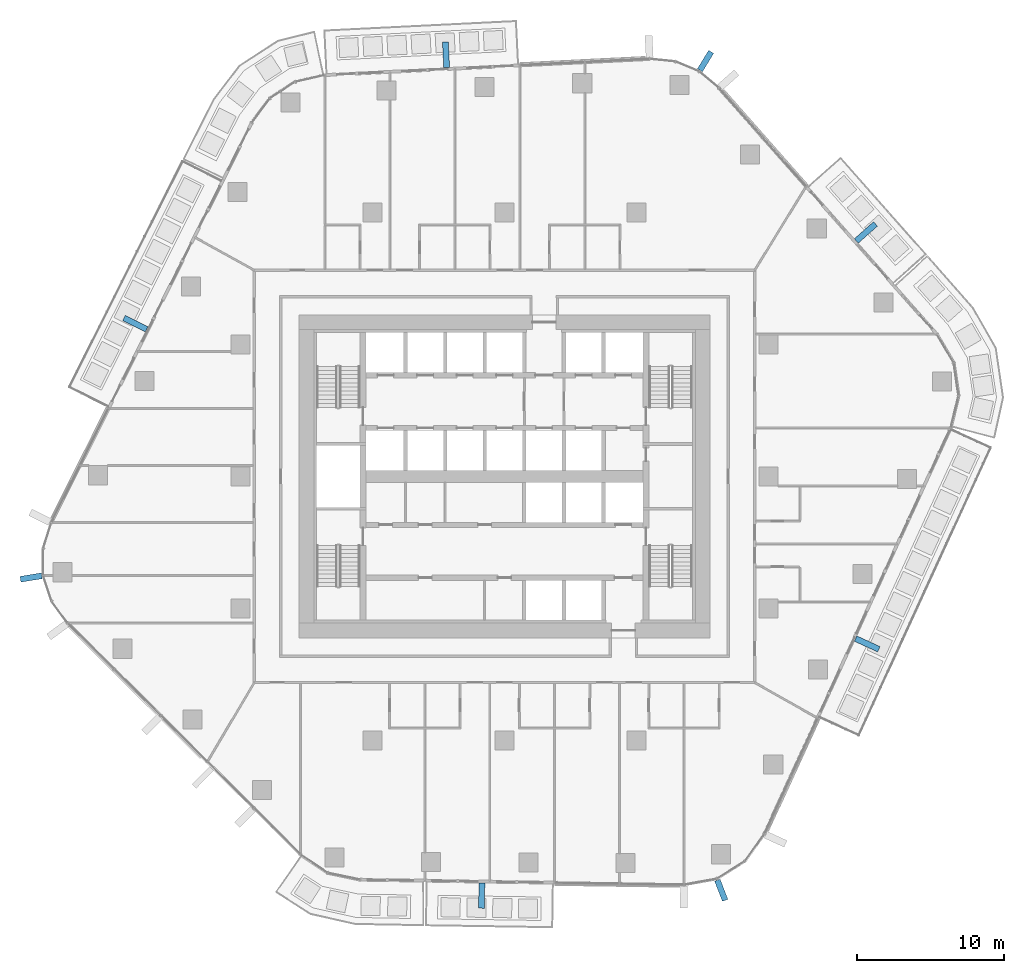
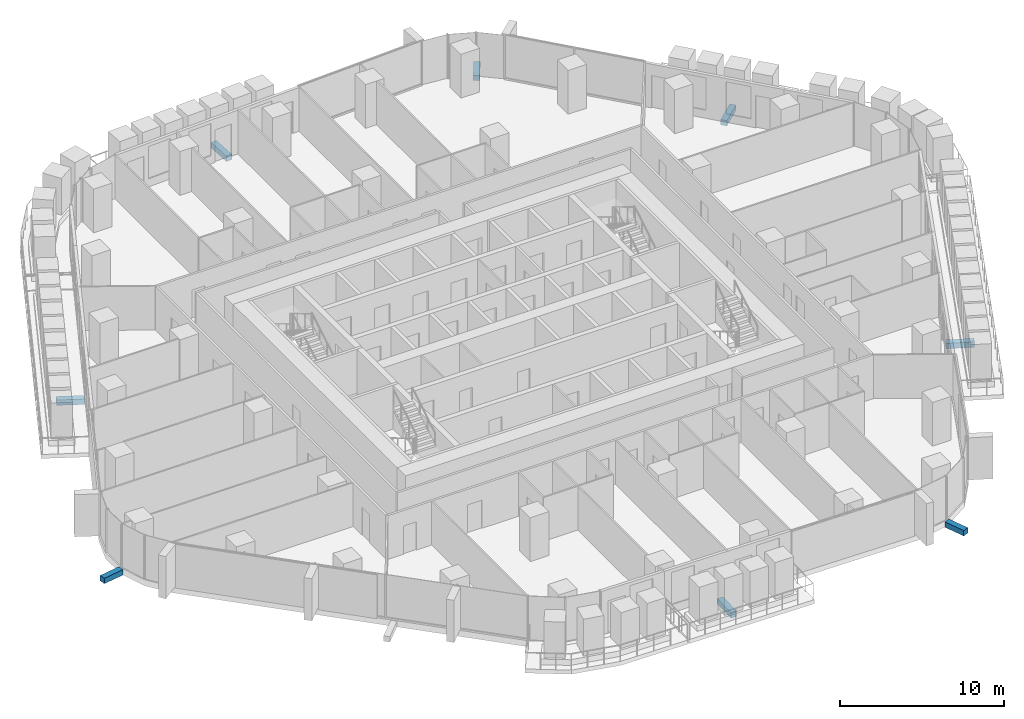
# One storey, part 18 of 24: 8 discrete accessories.
"""IFC4 building model written with IfcOpenShell, lengths in metres."""

from ifc_helpers import new_model, si_unit, direction, frame, origin, origin_2d, place, context, subcontext, project, spatial, rectangle, extrude, material, type_object, element, save


model = new_model("IFC4")

# Units and contexts
model_context = context("Model", 3, precision=1e-05, world=origin(), true_north=direction((0.0, 1.0)))
body_context = subcontext(model_context, "Body", "Model", "MODEL_VIEW")
ifc_project = project(units=[si_unit("LENGTHUNIT", "METRE"), si_unit("AREAUNIT", "SQUARE_METRE"), si_unit("VOLUMEUNIT", "CUBIC_METRE"), si_unit("PLANEANGLEUNIT", "RADIAN"), si_unit("MASSUNIT", "GRAM", prefix="KILO")], contexts=[model_context])

# Site, building, storey
site_placement = place(None, origin())
site = spatial("IfcSite", under=ifc_project, at=site_placement, CompositionType="ELEMENT")
building_placement = place(site_placement, origin())
building = spatial("IfcBuilding", under=site, at=building_placement, Name="Dongbaek Canopy Tower", CompositionType="ELEMENT")
storey_placement = place(building_placement, frame((0.0, 0.0, 98.89990234375)))
storey = spatial("IfcBuildingStorey", under=building, at=storey_placement, Name="L20", CompositionType="ELEMENT", Elevation=98.89990234375)

# Discrete accessories
ifc_material = material(Name="Galvanised steel S355 bracket", Category="steel")
discrete_accessory_type = type_object("IfcDiscreteAccessoryType", Name="Crease fin bracket BR3 400", PredefinedType="BRACKET", material=ifc_material)
discrete_accessory_1_placement = place(storey_placement, frame((24.6279296875, 16.626708984375, -0.4248046875), z_axis=(0.0, 0.0, 1.0), x_axis=(0.748748672505, 0.66285400008, 0.0)))
element("IfcDiscreteAccessory", 1, at=discrete_accessory_1_placement, inside=storey, type_object=discrete_accessory_type, Name="Crease fin bracket L20 F0", PredefinedType="BRACKET", context=body_context, shape_type="SweptSolid", body=[
    extrude(rectangle(XDim=1.75048828125, YDim=0.39990234375, at=origin_2d()), origin(), (0.0, 0.0, 1.0), 0.39990234375),
])
discrete_accessory_2_placement = place(storey_placement, frame((-3.986083984375, 28.73583984375, -0.4248046875), z_axis=(0.0, 0.0, 1.0), x_axis=(-0.049538340132, 0.99877222271, 0.0)))
element("IfcDiscreteAccessory", 2, at=discrete_accessory_2_placement, inside=storey, type_object=discrete_accessory_type, Name="Crease fin bracket L20 F1", PredefinedType="BRACKET", context=body_context, shape_type="SweptSolid", body=[
    extrude(rectangle(XDim=1.742919921875, YDim=0.39990234375, at=origin_2d()), origin(), (0.0, 0.0, 1.0), 0.39990234375),
])
discrete_accessory_3_placement = place(storey_placement, frame((-25.164306640625, 10.41748046875, -0.4248046875), z_axis=(0.0, 0.0, 1.0), x_axis=(-0.894055747853, 0.447955711797, 0.0)))
element("IfcDiscreteAccessory", 3, at=discrete_accessory_3_placement, inside=storey, type_object=discrete_accessory_type, Name="Crease fin bracket L20 F2", PredefinedType="BRACKET", context=body_context, shape_type="SweptSolid", body=[
    extrude(rectangle(XDim=1.7265625, YDim=0.39990234375, at=origin_2d()), origin(), (0.0, 0.0, 1.0), 0.39990234375),
])
discrete_accessory_4_placement = place(storey_placement, frame((-1.5556640625, -28.568115234375, -0.4248046875), z_axis=(0.0, 0.0, 1.0), x_axis=(-0.015412392378, -0.999881222026, 0.0)))
element("IfcDiscreteAccessory", 4, at=discrete_accessory_4_placement, inside=storey, type_object=discrete_accessory_type, Name="Crease fin bracket L20 F4", PredefinedType="BRACKET", context=body_context, shape_type="SweptSolid", body=[
    extrude(rectangle(XDim=1.719482421875, YDim=0.39990234375, at=origin_2d()), origin(), (0.0, 0.0, 1.0), 0.39990234375),
])
discrete_accessory_5_placement = place(storey_placement, frame((24.716552734375, -11.414306640625, -0.4248046875), z_axis=(0.0, 0.0, 1.0), x_axis=(0.908848466109, -0.417126438446, 0.0)))
element("IfcDiscreteAccessory", 5, at=discrete_accessory_5_placement, inside=storey, type_object=discrete_accessory_type, Name="Crease fin bracket L20 F5", PredefinedType="BRACKET", context=body_context, shape_type="SweptSolid", body=[
    extrude(rectangle(XDim=1.740966796875, YDim=0.39990234375, at=origin_2d()), origin(), (0.0, 0.0, 1.0), 0.39990234375),
])
for number, where, z_axis, x_axis, name in (
    (6, (13.700439453125, 28.309326171875, -0.4248046875), (0.0, 0.0, 1.0), (0.520635660338, 0.853778958036, 0.0), "Corner fin bracket L20 K1"),
    (7, (-32.2626953125, -6.89013671875, -0.4248046875), (0.0, 0.0, 1.0), (-0.986926979319, -0.161168041161, 0.0), "Corner fin bracket L20 K3"),
    (8, (14.769287109375, -28.201416015625, -0.4248046875), (0.0, 0.0, 1.0), (0.361518798975, -0.932364820222, 0.0), "Corner fin bracket L20 K5"),
):
    element("IfcDiscreteAccessory", number, at=place(storey_placement, frame(where, z_axis=z_axis, x_axis=x_axis)), inside=storey, type_object=discrete_accessory_type, Name=name, PredefinedType="BRACKET", context=body_context, shape_type="SweptSolid", body=[
        extrude(rectangle(XDim=1.469970703125, YDim=0.39990234375, at=origin_2d()), origin(), (0.0, 0.0, 1.0), 0.39990234375),
    ])

save(model, "model.ifc")
